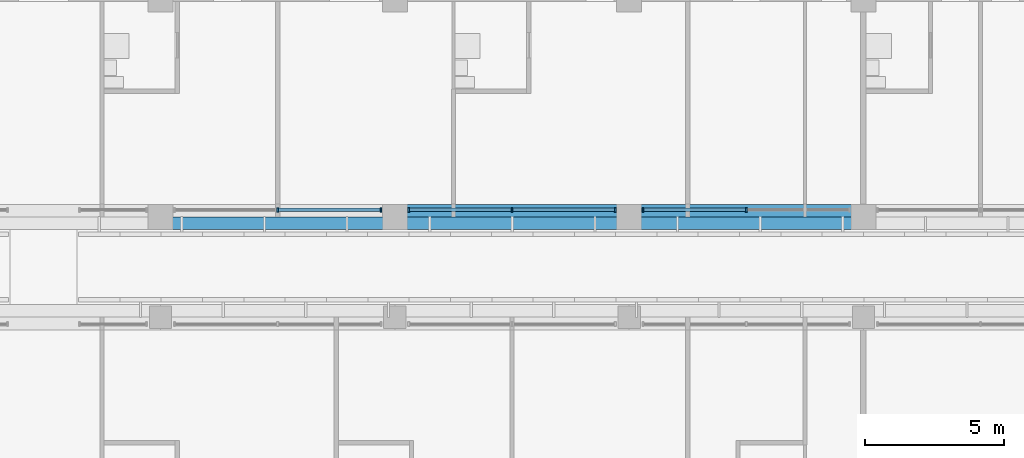
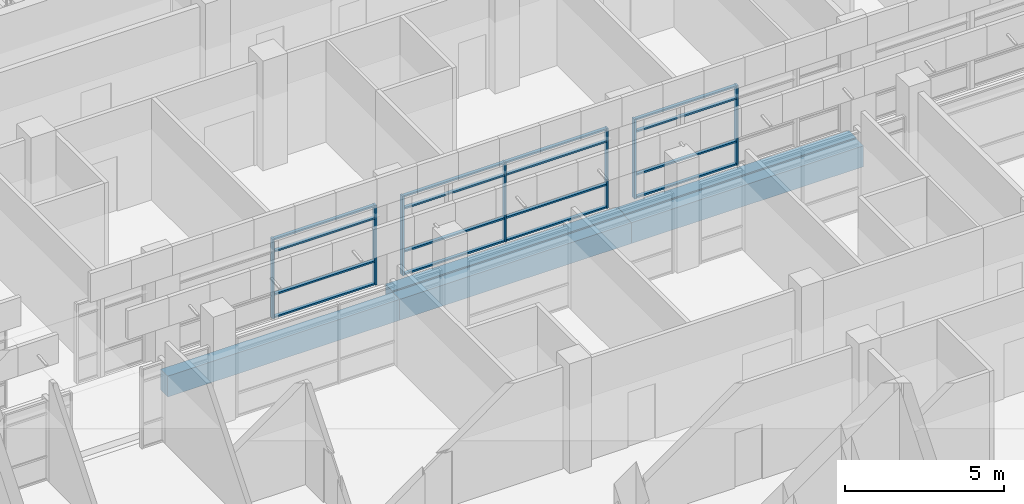
# One storey, part 25 of 137: 23 members, 5 beams, 3 elements without a shape of their own.
"""IFC4 building model written with IfcOpenShell, lengths in metres."""

from ifc_helpers import new_model, si_unit, direction, frame, origin, origin_2d, place, context, subcontext, project, spatial, rectangle, extrude, material, material_profile, profile_set, type_object, element, aggregate, save


model = new_model("IFC4")

# Units and contexts
model_context = context("Model", 3, precision=1e-05, world=origin(), true_north=direction((0.0, 1.0)))
body_context = subcontext(model_context, "Body", "Model", "MODEL_VIEW")
ifc_project = project(units=[si_unit("LENGTHUNIT", "METRE"), si_unit("AREAUNIT", "SQUARE_METRE"), si_unit("VOLUMEUNIT", "CUBIC_METRE"), si_unit("PLANEANGLEUNIT", "RADIAN"), si_unit("MASSUNIT", "GRAM", prefix="KILO")], contexts=[model_context])

# Site, building, storey
site_placement = place(None, origin())
site = spatial("IfcSite", under=ifc_project, at=site_placement, CompositionType="ELEMENT")
building_placement = place(site_placement, origin())
building = spatial("IfcBuilding", under=site, at=building_placement, Name="Bougainvillea Quay General Hospital", CompositionType="ELEMENT")
storey_placement = place(building_placement, frame((0.0, 0.0, 16.800048828125)))
storey = spatial("IfcBuildingStorey", under=building, at=storey_placement, Name="L03", CompositionType="ELEMENT", Elevation=16.800048828125)

# Curtain wall, members
ifc_material_1 = material(Name="Aluminium curtain wall system, powder-coated glazed", Category="aluminium")
curtain_wall_type = type_object("IfcCurtainWallType", Name="Unitised curtain wall CW-3730", PredefinedType="NOTDEFINED", material=ifc_material_1)
curtain_wall_1_placement = place(storey_placement, origin())
curtain_wall_1 = element("IfcCurtainWall", 1, at=curtain_wall_1_placement, inside=storey, type_object=curtain_wall_type, Name="CW-4200 01", PredefinedType="NOTDEFINED")
ifc_material_2 = material(Name="Aluminium mullion, powder-coated charcoal", Category="aluminium")
ifc_material_profile_1 = material_profile(ifc_material_2, rectangle(XDim=0.159912109375, YDim=0.06005859375, at=origin_2d()))
ifc_profile_set_1 = profile_set([ifc_material_profile_1], Name="Aluminium mullion, powder-coated charcoal")
member_type_1 = type_object("IfcMemberType", Name="Curtain wall mullion 160x60", PredefinedType="MULLION", material=ifc_profile_set_1)
member_1_placement = place(storey_placement, frame((88.199951171875, 140.64990234375, 0.0), z_axis=(0.0, 0.0, 1.0), x_axis=(0.0, 1.0, 0.0)))
member_1 = element("IfcMember", 2, at=member_1_placement, type_object=member_type_1, Name="CW-4200 mullion 2", PredefinedType="MULLION", context=body_context, shape_type="SweptSolid", body=[
    extrude(rectangle(XDim=0.159912109375, YDim=0.06005859375, at=origin_2d()), origin(), (0.0, 0.0, 1.0), 3.050048828125),
])
member_2_placement = place(storey_placement, frame((91.89990234375, 140.64990234375, 0.0), z_axis=(0.0, 0.0, 1.0), x_axis=(0.0, 1.0, 0.0)))
member_2 = element("IfcMember", 3, at=member_2_placement, type_object=member_type_1, Name="CW-4200 mullion 3", PredefinedType="MULLION", context=body_context, shape_type="SweptSolid", body=[
    extrude(rectangle(XDim=0.159912109375, YDim=0.06005859375, at=origin_2d()), origin(), (0.0, 0.0, 1.0), 3.050048828125),
])

curtain_wall_2_placement = place(storey_placement, origin())
curtain_wall_2 = element("IfcCurtainWall", 4, at=curtain_wall_2_placement, inside=storey, type_object=curtain_wall_type, Name="CW-4200 02", PredefinedType="NOTDEFINED")
member_3_placement = place(storey_placement, frame((92.89990234375, 140.64990234375, 0.0), z_axis=(0.0, 0.0, 1.0), x_axis=(0.0, 1.0, 0.0)))
member_3 = element("IfcMember", 5, at=member_3_placement, type_object=member_type_1, Name="CW-4200 mullion 1", PredefinedType="MULLION", context=body_context, shape_type="SweptSolid", body=[
    extrude(rectangle(XDim=0.159912109375, YDim=0.06005859375, at=origin_2d()), origin(), (0.0, 0.0, 1.0), 3.050048828125),
])
member_4_placement = place(storey_placement, frame((96.60009765625, 140.64990234375, 0.0), z_axis=(0.0, 0.0, 1.0), x_axis=(0.0, 1.0, 0.0)))
member_4 = element("IfcMember", 6, at=member_4_placement, type_object=member_type_1, Name="CW-4200 mullion 2", PredefinedType="MULLION", context=body_context, shape_type="SweptSolid", body=[
    extrude(rectangle(XDim=0.159912109375, YDim=0.06005859375, at=origin_2d()), origin(), (0.0, 0.0, 1.0), 3.050048828125),
])
member_5_placement = place(storey_placement, frame((100.300048828125, 140.64990234375, 0.0), z_axis=(0.0, 0.0, 1.0), x_axis=(0.0, 1.0, 0.0)))
member_5 = element("IfcMember", 7, at=member_5_placement, type_object=member_type_1, Name="CW-4200 mullion 3", PredefinedType="MULLION", context=body_context, shape_type="SweptSolid", body=[
    extrude(rectangle(XDim=0.159912109375, YDim=0.06005859375, at=origin_2d()), origin(), (0.0, 0.0, 1.0), 3.050048828125),
])

curtain_wall_3_placement = place(storey_placement, origin())
curtain_wall_3 = element("IfcCurtainWall", 8, at=curtain_wall_3_placement, inside=storey, type_object=curtain_wall_type, Name="CW-4200 03", PredefinedType="NOTDEFINED")
member_6_placement = place(storey_placement, frame((101.300048828125, 140.64990234375, 0.0), z_axis=(0.0, 0.0, 1.0), x_axis=(0.0, 1.0, 0.0)))
member_6 = element("IfcMember", 9, at=member_6_placement, type_object=member_type_1, Name="CW-4200 mullion 1", PredefinedType="MULLION", context=body_context, shape_type="SweptSolid", body=[
    extrude(rectangle(XDim=0.159912109375, YDim=0.06005859375, at=origin_2d()), origin(), (0.0, 0.0, 1.0), 3.050048828125),
])
member_7_placement = place(storey_placement, frame((105.0, 140.64990234375, 0.0), z_axis=(0.0, 0.0, 1.0), x_axis=(0.0, 1.0, 0.0)))
member_7 = element("IfcMember", 10, at=member_7_placement, type_object=member_type_1, Name="CW-4200 mullion 2", PredefinedType="MULLION", context=body_context, shape_type="SweptSolid", body=[
    extrude(rectangle(XDim=0.159912109375, YDim=0.06005859375, at=origin_2d()), origin(), (0.0, 0.0, 1.0), 3.050048828125),
])

# Member
ifc_material_3 = material(Name="Aluminium transom, powder-coated charcoal", Category="aluminium")
ifc_material_profile_2 = material_profile(ifc_material_3, rectangle(XDim=0.1201171875, YDim=0.06005859375, at=origin_2d()))
ifc_profile_set_2 = profile_set([ifc_material_profile_2], Name="Aluminium transom, powder-coated charcoal")
member_type_2 = type_object("IfcMemberType", Name="Curtain wall transom 120x60", PredefinedType="USERDEFINED", material=ifc_profile_set_2)
member_8_placement = place(storey_placement, frame((88.22998046875, 140.64990234375, 0.030029296875), z_axis=(1.0, 0.0, 0.0), x_axis=(0.0, 1.0, 0.0)))
member_8 = element("IfcMember", 11, at=member_8_placement, type_object=member_type_2, Name="CW-4200 transom 2.1", ObjectType="TRANSOM", PredefinedType="USERDEFINED", context=body_context, shape_type="SweptSolid", body=[
    extrude(rectangle(XDim=0.1201171875, YDim=0.06005859375, at=origin_2d()), origin(), (0.0, 0.0, 1.0), 3.64013671875),
])

member_9_placement = place(storey_placement, frame((88.22998046875, 140.64990234375, 0.89990234375), z_axis=(1.0, 0.0, 0.0), x_axis=(0.0, 1.0, 0.0)))
member_9 = element("IfcMember", 12, at=member_9_placement, type_object=member_type_2, Name="CW-4200 transom 2.2", ObjectType="TRANSOM", PredefinedType="USERDEFINED", context=body_context, shape_type="SweptSolid", body=[
    extrude(rectangle(XDim=0.1201171875, YDim=0.06005859375, at=origin_2d()), origin(), (0.0, 0.0, 1.0), 3.64013671875),
])

member_10_placement = place(storey_placement, frame((88.22998046875, 140.64990234375, 2.550048828125), z_axis=(1.0, 0.0, 0.0), x_axis=(0.0, 1.0, 0.0)))
member_10 = element("IfcMember", 13, at=member_10_placement, type_object=member_type_2, Name="CW-4200 transom 2.3", ObjectType="TRANSOM", PredefinedType="USERDEFINED", context=body_context, shape_type="SweptSolid", body=[
    extrude(rectangle(XDim=0.1201171875, YDim=0.06005859375, at=origin_2d()), origin(), (0.0, 0.0, 1.0), 3.64013671875),
])

member_11_placement = place(storey_placement, frame((88.22998046875, 140.64990234375, 3.02001953125), z_axis=(1.0, 0.0, 0.0), x_axis=(0.0, 1.0, 0.0)))
member_11 = element("IfcMember", 14, at=member_11_placement, type_object=member_type_2, Name="CW-4200 transom 2.4", ObjectType="TRANSOM", PredefinedType="USERDEFINED", context=body_context, shape_type="SweptSolid", body=[
    extrude(rectangle(XDim=0.1201171875, YDim=0.06005859375, at=origin_2d()), origin(), (0.0, 0.0, 1.0), 3.64013671875),
])

aggregate(curtain_wall_1, [member_1, member_2, member_8, member_9, member_10, member_11])

member_12_placement = place(storey_placement, frame((92.929931640625, 140.64990234375, 0.030029296875), z_axis=(1.0, 0.0, 0.0), x_axis=(0.0, 1.0, 0.0)))
member_12 = element("IfcMember", 15, at=member_12_placement, type_object=member_type_2, Name="CW-4200 transom 1.1", ObjectType="TRANSOM", PredefinedType="USERDEFINED", context=body_context, shape_type="SweptSolid", body=[
    extrude(rectangle(XDim=0.1201171875, YDim=0.06005859375, at=origin_2d()), origin(), (0.0, 0.0, 1.0), 3.64013671875),
])

member_13_placement = place(storey_placement, frame((92.929931640625, 140.64990234375, 0.89990234375), z_axis=(1.0, 0.0, 0.0), x_axis=(0.0, 1.0, 0.0)))
member_13 = element("IfcMember", 16, at=member_13_placement, type_object=member_type_2, Name="CW-4200 transom 1.2", ObjectType="TRANSOM", PredefinedType="USERDEFINED", context=body_context, shape_type="SweptSolid", body=[
    extrude(rectangle(XDim=0.1201171875, YDim=0.06005859375, at=origin_2d()), origin(), (0.0, 0.0, 1.0), 3.64013671875),
])

member_14_placement = place(storey_placement, frame((92.929931640625, 140.64990234375, 2.550048828125), z_axis=(1.0, 0.0, 0.0), x_axis=(0.0, 1.0, 0.0)))
member_14 = element("IfcMember", 17, at=member_14_placement, type_object=member_type_2, Name="CW-4200 transom 1.3", ObjectType="TRANSOM", PredefinedType="USERDEFINED", context=body_context, shape_type="SweptSolid", body=[
    extrude(rectangle(XDim=0.1201171875, YDim=0.06005859375, at=origin_2d()), origin(), (0.0, 0.0, 1.0), 3.64013671875),
])

member_15_placement = place(storey_placement, frame((92.929931640625, 140.64990234375, 3.02001953125), z_axis=(1.0, 0.0, 0.0), x_axis=(0.0, 1.0, 0.0)))
member_15 = element("IfcMember", 18, at=member_15_placement, type_object=member_type_2, Name="CW-4200 transom 1.4", ObjectType="TRANSOM", PredefinedType="USERDEFINED", context=body_context, shape_type="SweptSolid", body=[
    extrude(rectangle(XDim=0.1201171875, YDim=0.06005859375, at=origin_2d()), origin(), (0.0, 0.0, 1.0), 3.64013671875),
])

member_16_placement = place(storey_placement, frame((96.6298828125, 140.64990234375, 0.030029296875), z_axis=(1.0, 0.0, 0.0), x_axis=(0.0, 1.0, 0.0)))
member_16 = element("IfcMember", 19, at=member_16_placement, type_object=member_type_2, Name="CW-4200 transom 2.1", ObjectType="TRANSOM", PredefinedType="USERDEFINED", context=body_context, shape_type="SweptSolid", body=[
    extrude(rectangle(XDim=0.1201171875, YDim=0.06005859375, at=origin_2d()), origin(), (0.0, 0.0, 1.0), 3.64013671875),
])

member_17_placement = place(storey_placement, frame((96.6298828125, 140.64990234375, 0.89990234375), z_axis=(1.0, 0.0, 0.0), x_axis=(0.0, 1.0, 0.0)))
member_17 = element("IfcMember", 20, at=member_17_placement, type_object=member_type_2, Name="CW-4200 transom 2.2", ObjectType="TRANSOM", PredefinedType="USERDEFINED", context=body_context, shape_type="SweptSolid", body=[
    extrude(rectangle(XDim=0.1201171875, YDim=0.06005859375, at=origin_2d()), origin(), (0.0, 0.0, 1.0), 3.64013671875),
])

member_18_placement = place(storey_placement, frame((96.6298828125, 140.64990234375, 2.550048828125), z_axis=(1.0, 0.0, 0.0), x_axis=(0.0, 1.0, 0.0)))
member_18 = element("IfcMember", 21, at=member_18_placement, type_object=member_type_2, Name="CW-4200 transom 2.3", ObjectType="TRANSOM", PredefinedType="USERDEFINED", context=body_context, shape_type="SweptSolid", body=[
    extrude(rectangle(XDim=0.1201171875, YDim=0.06005859375, at=origin_2d()), origin(), (0.0, 0.0, 1.0), 3.64013671875),
])

member_19_placement = place(storey_placement, frame((96.6298828125, 140.64990234375, 3.02001953125), z_axis=(1.0, 0.0, 0.0), x_axis=(0.0, 1.0, 0.0)))
member_19 = element("IfcMember", 22, at=member_19_placement, type_object=member_type_2, Name="CW-4200 transom 2.4", ObjectType="TRANSOM", PredefinedType="USERDEFINED", context=body_context, shape_type="SweptSolid", body=[
    extrude(rectangle(XDim=0.1201171875, YDim=0.06005859375, at=origin_2d()), origin(), (0.0, 0.0, 1.0), 3.64013671875),
])

aggregate(curtain_wall_2, [member_3, member_4, member_5, member_12, member_13, member_14, member_15, member_16, member_17, member_18, member_19])

member_20_placement = place(storey_placement, frame((101.330078125, 140.64990234375, 0.030029296875), z_axis=(1.0, 0.0, 0.0), x_axis=(0.0, 1.0, 0.0)))
member_20 = element("IfcMember", 23, at=member_20_placement, type_object=member_type_2, Name="CW-4200 transom 1.1", ObjectType="TRANSOM", PredefinedType="USERDEFINED", context=body_context, shape_type="SweptSolid", body=[
    extrude(rectangle(XDim=0.1201171875, YDim=0.06005859375, at=origin_2d()), origin(), (0.0, 0.0, 1.0), 3.639892578125),
])

member_21_placement = place(storey_placement, frame((101.330078125, 140.64990234375, 0.89990234375), z_axis=(1.0, 0.0, 0.0), x_axis=(0.0, 1.0, 0.0)))
member_21 = element("IfcMember", 24, at=member_21_placement, type_object=member_type_2, Name="CW-4200 transom 1.2", ObjectType="TRANSOM", PredefinedType="USERDEFINED", context=body_context, shape_type="SweptSolid", body=[
    extrude(rectangle(XDim=0.1201171875, YDim=0.06005859375, at=origin_2d()), origin(), (0.0, 0.0, 1.0), 3.639892578125),
])

member_22_placement = place(storey_placement, frame((101.330078125, 140.64990234375, 2.550048828125), z_axis=(1.0, 0.0, 0.0), x_axis=(0.0, 1.0, 0.0)))
member_22 = element("IfcMember", 25, at=member_22_placement, type_object=member_type_2, Name="CW-4200 transom 1.3", ObjectType="TRANSOM", PredefinedType="USERDEFINED", context=body_context, shape_type="SweptSolid", body=[
    extrude(rectangle(XDim=0.1201171875, YDim=0.06005859375, at=origin_2d()), origin(), (0.0, 0.0, 1.0), 3.639892578125),
])

member_23_placement = place(storey_placement, frame((101.330078125, 140.64990234375, 3.02001953125), z_axis=(1.0, 0.0, 0.0), x_axis=(0.0, 1.0, 0.0)))
member_23 = element("IfcMember", 26, at=member_23_placement, type_object=member_type_2, Name="CW-4200 transom 1.4", ObjectType="TRANSOM", PredefinedType="USERDEFINED", context=body_context, shape_type="SweptSolid", body=[
    extrude(rectangle(XDim=0.1201171875, YDim=0.06005859375, at=origin_2d()), origin(), (0.0, 0.0, 1.0), 3.639892578125),
])

aggregate(curtain_wall_3, [member_6, member_7, member_20, member_21, member_22, member_23])

# Beams
ifc_material_4 = material(Name="Concrete C40", Category="concrete")
ifc_material_profile_3 = material_profile(ifc_material_4, rectangle(XDim=0.449951171875, YDim=0.800048828125, at=origin_2d()))
ifc_profile_set_3 = profile_set([ifc_material_profile_3], Name="Concrete C40")
beam_type = type_object("IfcBeamType", Name="RC BEAM 450x800 C40", PredefinedType="BEAM", material=ifc_profile_set_3)
beam_1_placement = place(storey_placement, frame((92.39990234375, 140.625, -0.699951171875), z_axis=(1.0, 0.0, 0.0), x_axis=(0.0, 1.0, 0.0)))
element("IfcBeam", 27, at=beam_1_placement, inside=storey, type_object=beam_type, Name="Edge beam L03", PredefinedType="BEAM", context=body_context, shape_type="SweptSolid", body=[
    extrude(rectangle(XDim=0.449951171875, YDim=0.800048828125, at=origin_2d()), origin(), (0.0, 0.0, 1.0), 8.400146484375),
])
for number, where, z_axis, x_axis, name in (
    (28, (100.800048828125, 140.625, -0.699951171875), (1.0, 0.0, 0.0), (0.0, 1.0, 0.0), "Edge beam L03"),
    (29, (109.199951171875, 140.175048828125, -0.75), (-1.0, 0.0, 0.0), (0.0, -1.0, 0.0), "Edge beam L03"),
):
    element("IfcBeam", number, at=place(storey_placement, frame(where, z_axis=z_axis, x_axis=x_axis)), inside=storey, type_object=beam_type, Name=name, PredefinedType="BEAM", context=body_context, shape_type="SweptSolid", body=[
        extrude(rectangle(XDim=0.449951171875, YDim=0.800048828125, at=origin_2d()), origin(), (0.0, 0.0, 1.0), 8.39990234375),
    ])
beam_2_placement = place(storey_placement, frame((100.800048828125, 140.175048828125, -0.75), z_axis=(-1.0, 0.0, 0.0), x_axis=(0.0, -1.0, 0.0)))
element("IfcBeam", 30, at=beam_2_placement, inside=storey, type_object=beam_type, Name="Edge beam L03", PredefinedType="BEAM", context=body_context, shape_type="SweptSolid", body=[
    extrude(rectangle(XDim=0.449951171875, YDim=0.800048828125, at=origin_2d()), origin(), (0.0, 0.0, 1.0), 8.400146484375),
])
beam_3_placement = place(storey_placement, frame((92.39990234375, 140.175048828125, -0.75), z_axis=(-1.0, 0.0, 0.0), x_axis=(0.0, -1.0, 0.0)))
element("IfcBeam", 31, at=beam_3_placement, inside=storey, type_object=beam_type, Name="Edge beam L03", PredefinedType="BEAM", context=body_context, shape_type="SweptSolid", body=[
    extrude(rectangle(XDim=0.449951171875, YDim=0.800048828125, at=origin_2d()), origin(), (0.0, 0.0, 1.0), 8.39990234375),
])

save(model, "model.ifc")
